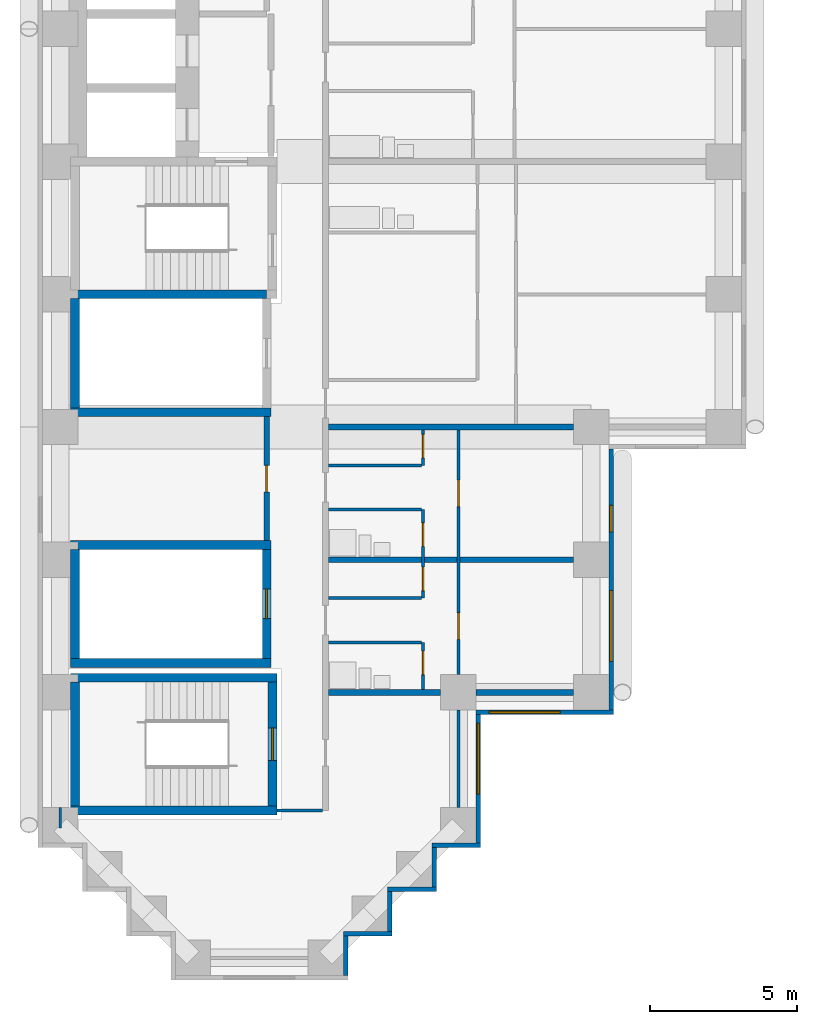
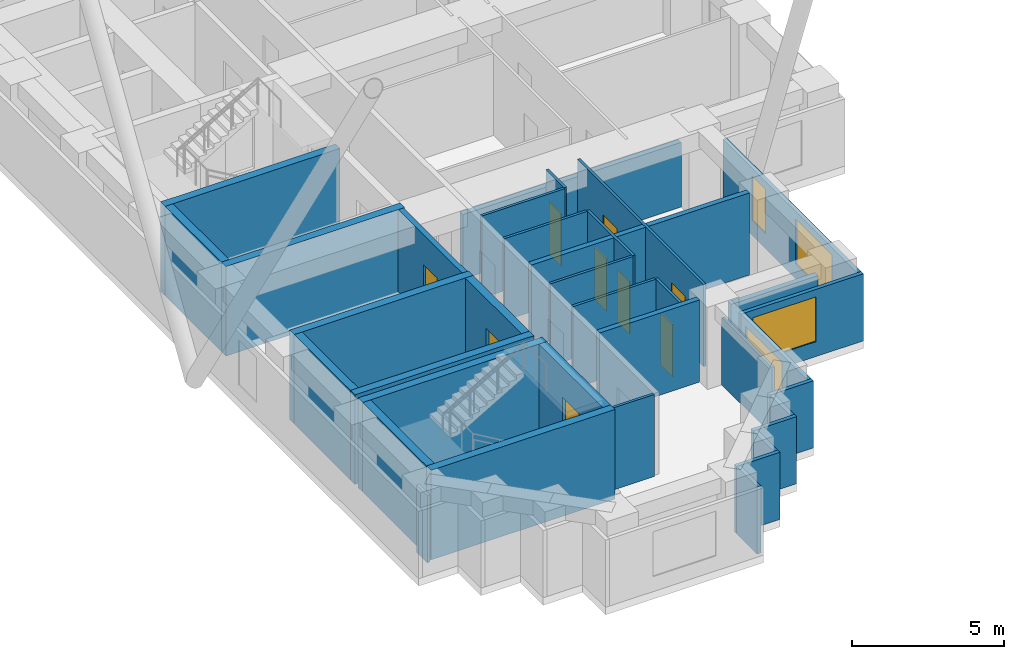
# One storey, part 8 of 20: 36 walls, 9 doors, 4 windows, 13 openings.
"""IFC4 building model written with IfcOpenShell, lengths in metres."""

from ifc_helpers import new_model, si_unit, direction, frame, frame_2d, origin, place, context, subcontext, project, spatial, rectangle, extrude, material, layer, layer_set, type_object, element, fill, save


model = new_model("IFC4")

# Units and contexts
model_context = context("Model", 3, precision=1e-05, world=origin(), true_north=direction((0.0, 1.0)))
body_context = subcontext(model_context, "Body", "Model", "MODEL_VIEW")
ifc_project = project(units=[si_unit("LENGTHUNIT", "METRE"), si_unit("AREAUNIT", "SQUARE_METRE"), si_unit("VOLUMEUNIT", "CUBIC_METRE"), si_unit("PLANEANGLEUNIT", "RADIAN"), si_unit("MASSUNIT", "GRAM", prefix="KILO")], contexts=[model_context])

# Site, building, storey
site_placement = place(None, origin())
site = spatial("IfcSite", under=ifc_project, at=site_placement, CompositionType="ELEMENT")
building_placement = place(site_placement, origin())
building = spatial("IfcBuilding", under=site, at=building_placement, Name="Firuza Court", CompositionType="ELEMENT")
storey_placement = place(building_placement, frame((0.0, 0.0, 29.0)))
storey = spatial("IfcBuildingStorey", under=building, at=storey_placement, Name="L05", CompositionType="ELEMENT", Elevation=29.0)

# Walls
ifc_material_1 = material(Name="Moisture-resistant gypsum board partition")
ifc_layer_1 = layer(ifc_material_1, 0.10009765625)
ifc_layer_set_1 = layer_set([ifc_layer_1], Name="Moisture-resistant gypsum board partition")
wall_type_1 = type_object("IfcWallType", Name="Bathroom partition 100", PredefinedType="PLUMBINGWALL", material=ifc_layer_set_1)
for number, where, z_axis, x_axis, name in (
    (1, (9.10009765625, 10.699951171875, 0.0), (0.0, 0.0, 1.0), (1.0, 0.0, 0.0), "Bathroom partition 100 L05"),
    (2, (9.10009765625, 15.199951171875, 0.0), (0.0, 0.0, 1.0), (1.0, 0.0, 0.0), "Bathroom partition 100 L05"),
):
    element("IfcWall", number, at=place(storey_placement, frame(where, z_axis=z_axis, x_axis=x_axis)), inside=storey, type_object=wall_type_1, Name=name, PredefinedType="PLUMBINGWALL", context=body_context, shape_type="SweptSolid", body=[
        extrude(rectangle(XDim=3.14990234375, YDim=0.10009765625, at=frame_2d((1.574951171875, 0.0))), origin(), (0.0, 0.0, 1.0), 3.300048828125),
    ])
ifc_material_2 = material(Name="Concrete C60/75", Category="concrete")
ifc_layer_2 = layer(ifc_material_2, 0.300048828125)
ifc_layer_set_2 = layer_set([ifc_layer_2], Name="Concrete C60/75")
wall_type_2 = type_object("IfcWallType", Name="Core wall 300 C60/75", PredefinedType="SHEAR", material=ifc_layer_set_2)
for number, where, z_axis, x_axis, name in (
    (3, (0.35009765625, 5.0, -0.300048828125), (0.0, 0.0, 1.0), (1.0, 0.0, 0.0), "Core wall stair L05"),
    (4, (0.35009765625, 9.5, -0.300048828125), (0.0, 0.0, 1.0), (1.0, 0.0, 0.0), "Core wall stair L05"),
):
    element("IfcWall", number, at=place(storey_placement, frame(where, z_axis=z_axis, x_axis=x_axis)), inside=storey, type_object=wall_type_2, Name=name, PredefinedType="SHEAR", context=body_context, shape_type="SweptSolid", body=[
        extrude(rectangle(XDim=7.0, YDim=0.300048828125, at=frame_2d((3.5, 0.0))), origin(), (0.0, 0.0, 1.0), 3.60009765625),
    ])
for number, where, z_axis, x_axis, name in (
    (5, (0.35009765625, 10.0, -0.300048828125), (0.0, 0.0, 1.0), (1.0, 0.0, 0.0), "Core wall riser L05"),
    (6, (0.35009765625, 14.0, -0.300048828125), (0.0, 0.0, 1.0), (1.0, 0.0, 0.0), "Core wall riser L05"),
    (7, (0.35009765625, 18.5, -0.300048828125), (0.0, 0.0, 1.0), (1.0, 0.0, 0.0), "Core wall riser L05"),
):
    element("IfcWall", number, at=place(storey_placement, frame(where, z_axis=z_axis, x_axis=x_axis)), inside=storey, type_object=wall_type_2, Name=name, PredefinedType="SHEAR", context=body_context, shape_type="SweptSolid", body=[
        extrude(rectangle(XDim=6.7998046875, YDim=0.300048828125, at=frame_2d((3.39990234375, 0.0))), origin(), (0.0, 0.0, 1.0), 3.60009765625),
    ])
wall_1_placement = place(storey_placement, frame((0.35009765625, 22.5, -0.300048828125), z_axis=(0.0, 0.0, 1.0), x_axis=(1.0, 0.0, 0.0)))
element("IfcWall", 8, at=wall_1_placement, inside=storey, type_object=wall_type_2, Name="Core wall riser L05", PredefinedType="SHEAR", context=body_context, shape_type="SweptSolid", body=[
    extrude(rectangle(XDim=6.64990234375, YDim=0.300048828125, at=frame_2d((3.324951171875, 0.0))), origin(), (0.0, 0.0, 1.0), 3.60009765625),
])
wall_2_placement = place(storey_placement, frame((0.5, 5.14990234375, -0.300048828125), z_axis=(0.0, 0.0, 1.0), x_axis=(0.0, 1.0, 0.0)))
element("IfcWall", 9, at=wall_2_placement, inside=storey, type_object=wall_type_2, Name="Core wall stair L05", PredefinedType="SHEAR", context=body_context, shape_type="SweptSolid", body=[
    extrude(rectangle(XDim=4.2001953125, YDim=0.300048828125, at=frame_2d((2.10009765625, 0.0))), origin(), (0.0, 0.0, 1.0), 3.60009765625),
])
for number, where, z_axis, x_axis, name in (
    (10, (0.5, 10.14990234375, -0.300048828125), (0.0, 0.0, 1.0), (0.0, 1.0, 0.0), "Core wall riser L05"),
    (11, (0.5, 18.64990234375, -0.300048828125), (0.0, 0.0, 1.0), (0.0, 1.0, 0.0), "Core wall riser L05"),
):
    element("IfcWall", number, at=place(storey_placement, frame(where, z_axis=z_axis, x_axis=x_axis)), inside=storey, type_object=wall_type_2, Name=name, PredefinedType="SHEAR", context=body_context, shape_type="SweptSolid", body=[
        extrude(rectangle(XDim=3.7001953125, YDim=0.300048828125, at=frame_2d((1.85009765625, 0.0))), origin(), (0.0, 0.0, 1.0), 3.60009765625),
    ])

# Wall, opening, door
wall_3_placement = place(storey_placement, frame((7.0, 10.14990234375, -0.300048828125), z_axis=(0.0, 0.0, 1.0), x_axis=(0.0, 1.0, 0.0)))
wall_3 = element("IfcWall", 12, at=wall_3_placement, inside=storey, type_object=wall_type_2, Name="Core wall riser L05", PredefinedType="SHEAR", context=body_context, shape_type="SweptSolid", body=[
    extrude(rectangle(XDim=3.7001953125, YDim=0.300048828125, at=frame_2d((1.85009765625, 0.0))), origin(), (0.0, 0.0, 1.0), 3.60009765625),
])
opening_1_placement = place(wall_3_placement, frame((1.35009765625, 0.0, 0.300048828125)))
opening_1 = element("IfcOpeningElement", 13, at=opening_1_placement, cuts=wall_3, Name="Opening D05012", PredefinedType="OPENING", context=body_context, shape_type="SweptSolid", body=[
    extrude(rectangle(XDim=1.0, YDim=2.10009765625, at=frame_2d((0.5, 1.050048828125))), frame((0.0, 0.162109375, 0.0), z_axis=(0.0, -1.0, 0.0), x_axis=(1.0, 0.0, 0.0)), (0.0, 0.0, 1.0), 0.323974609375),
])
ifc_material_3 = material(Name="Timber door leaf in hardwood frame", Category="wood")
door_type_1 = type_object("IfcDoorType", Name="Riser door 1000", OperationType="SINGLE_SWING_LEFT", PredefinedType="DOOR", material=ifc_material_3)
door_1_placement = place(opening_1_placement, origin())
door_1 = element("IfcDoor", 14, at=door_1_placement, inside=storey, type_object=door_type_1, Name="Riser door R4", OperationType="SINGLE_SWING_LEFT", OverallHeight=2.10009765625, OverallWidth=1.0, PredefinedType="DOOR", context=body_context, shape_type="SweptSolid", body=[
    extrude(rectangle(XDim=1.0, YDim=2.10009765625, at=frame_2d((0.5, 1.050048828125))), frame((0.0, 0.02490234375, 0.0), z_axis=(0.0, -1.0, 0.0), x_axis=(1.0, 0.0, 0.0)), (0.0, 0.0, 1.0), 0.050048828125),
])
fill(opening_1, door_1)

wall_4_placement = place(storey_placement, frame((7.199951171875, 5.14990234375, -0.300048828125), z_axis=(0.0, 0.0, 1.0), x_axis=(0.0, 1.0, 0.0)))
wall_4 = element("IfcWall", 15, at=wall_4_placement, inside=storey, type_object=wall_type_2, Name="Core wall stair L05", PredefinedType="SHEAR", context=body_context, shape_type="SweptSolid", body=[
    extrude(rectangle(XDim=4.2001953125, YDim=0.300048828125, at=frame_2d((2.10009765625, 0.0))), origin(), (0.0, 0.0, 1.0), 3.60009765625),
])
opening_2_placement = place(wall_4_placement, frame((1.550048828125, 0.0, 0.300048828125)))
opening_2 = element("IfcOpeningElement", 16, at=opening_2_placement, cuts=wall_4, Name="Opening D05018", PredefinedType="OPENING", context=body_context, shape_type="SweptSolid", body=[
    extrude(rectangle(XDim=1.10009765625, YDim=2.10009765625, at=frame_2d((0.550048828125, 1.050048828125))), frame((0.0, 0.162109375, 0.0), z_axis=(0.0, -1.0, 0.0), x_axis=(1.0, 0.0, 0.0)), (0.0, 0.0, 1.0), 0.323974609375),
])
ifc_material_4 = material(Name="Timber door leaf in hardwood frame", Category="wood")
door_type_2 = type_object("IfcDoorType", Name="Stair door 1100", OperationType="SINGLE_SWING_LEFT", PredefinedType="DOOR", material=ifc_material_4)
door_2_placement = place(opening_2_placement, origin())
door_2 = element("IfcDoor", 17, at=door_2_placement, inside=storey, type_object=door_type_2, Name="Stair door S5", OperationType="SINGLE_SWING_LEFT", OverallHeight=2.10009765625, OverallWidth=1.10009765625, PredefinedType="DOOR", context=body_context, shape_type="SweptSolid", body=[
    extrude(rectangle(XDim=1.10009765625, YDim=2.10009765625, at=frame_2d((0.550048828125, 1.050048828125))), frame((0.0, 0.02490234375, 0.0), z_axis=(0.0, -1.0, 0.0), x_axis=(1.0, 0.0, 0.0)), (0.0, 0.0, 1.0), 0.050048828125),
])
fill(opening_2, door_2)

ifc_material_5 = material(Name="Blockwork, plastered both sides", Category="masonry")
ifc_layer_3 = layer(ifc_material_5, 0.199951171875)
ifc_layer_set_3 = layer_set([ifc_layer_3], Name="Blockwork, plastered both sides")
wall_type_3 = type_object("IfcWallType", Name="Corridor wall 200", PredefinedType="PARTITIONING", material=ifc_layer_set_3)
wall_5_placement = place(storey_placement, frame((7.0, 14.14990234375, 0.0), z_axis=(0.0, 0.0, 1.0), x_axis=(0.0, 1.0, 0.0)))
wall_5 = element("IfcWall", 18, at=wall_5_placement, inside=storey, type_object=wall_type_3, Name="Corridor wall 200 L05", PredefinedType="PARTITIONING", context=body_context, shape_type="SweptSolid", body=[
    extrude(rectangle(XDim=4.2001953125, YDim=0.199951171875, at=frame_2d((2.10009765625, 0.0))), origin(), (0.0, 0.0, 1.0), 3.300048828125),
])
opening_3_placement = place(wall_5_placement, frame((1.64990234375, 0.0, 0.0)))
opening_3 = element("IfcOpeningElement", 19, at=opening_3_placement, cuts=wall_5, Name="Opening D05030", PredefinedType="OPENING", context=body_context, shape_type="SweptSolid", body=[
    extrude(rectangle(XDim=0.89990234375, YDim=2.10009765625, at=frame_2d((0.449951171875, 1.050048828125))), frame((0.0, 0.11181640625, 0.0), z_axis=(0.0, -1.0, 0.0), x_axis=(1.0, 0.0, 0.0)), (0.0, 0.0, 1.0), 0.223876953125),
])
ifc_material_6 = material(Name="Timber door leaf in hardwood frame", Category="wood")
door_type_3 = type_object("IfcDoorType", Name="Room door 900 EI 30", OperationType="SINGLE_SWING_LEFT", PredefinedType="DOOR", material=ifc_material_6)
door_3_placement = place(opening_3_placement, origin())
door_3 = element("IfcDoor", 20, at=door_3_placement, inside=storey, type_object=door_type_3, Name="Meeting room door", OperationType="SINGLE_SWING_LEFT", OverallHeight=2.10009765625, OverallWidth=0.89990234375, PredefinedType="DOOR", context=body_context, shape_type="SweptSolid", body=[
    extrude(rectangle(XDim=0.89990234375, YDim=2.10009765625, at=frame_2d((0.449951171875, 1.050048828125))), frame((0.0, 0.02490234375, 0.0), z_axis=(0.0, -1.0, 0.0), x_axis=(1.0, 0.0, 0.0)), (0.0, 0.0, 1.0), 0.050048828125),
])
fill(opening_3, door_3)

# Walls
ifc_material_7 = material(Name="Timber stud partition, plasterboard both sides", Category="wood")
ifc_layer_4 = layer(ifc_material_7, 0.10009765625)
ifc_layer_set_4 = layer_set([ifc_layer_4], Name="Timber stud partition, plasterboard both sides")
wall_type_4 = type_object("IfcWallType", Name="Partition wall 100", PredefinedType="PARTITIONING", material=ifc_layer_set_4)
wall_6_placement = place(storey_placement, frame((0.0, 4.39990234375, 0.0), z_axis=(0.0, 0.0, 1.0), x_axis=(0.0, 1.0, 0.0)))
element("IfcWall", 21, at=wall_6_placement, inside=storey, type_object=wall_type_4, Name="Partition wall 100 L05", PredefinedType="PARTITIONING", context=body_context, shape_type="SweptSolid", body=[
    extrude(rectangle(XDim=0.7001953125, YDim=0.10009765625, at=frame_2d((0.35009765625, 0.0))), origin(), (0.0, 0.0, 1.0), 2.699951171875),
])
wall_7_placement = place(storey_placement, frame((7.34912109375, 5.0, 0.0), z_axis=(0.0, 0.0, 1.0), x_axis=(1.0, 0.0, 0.0)))
element("IfcWall", 22, at=wall_7_placement, inside=storey, type_object=wall_type_4, Name="Partition wall 100 L05", PredefinedType="PARTITIONING", context=body_context, shape_type="SweptSolid", body=[
    extrude(rectangle(XDim=1.55078125, YDim=0.10009765625, at=frame_2d((0.775390625, 0.0))), origin(), (0.0, 0.0, 1.0), 3.300048828125),
])
wall_8_placement = place(storey_placement, frame((13.5, 5.10009765625, 0.0), z_axis=(0.0, 0.0, 1.0), x_axis=(0.0, 1.0, 0.0)))
element("IfcWall", 23, at=wall_8_placement, inside=storey, type_object=wall_type_4, Name="Partition wall 100 L05", PredefinedType="PARTITIONING", context=body_context, shape_type="SweptSolid", body=[
    extrude(rectangle(XDim=3.2998046875, YDim=0.10009765625, at=frame_2d((1.64990234375, 0.0))), origin(), (0.0, 0.0, 1.0), 2.699951171875),
])

# Wall, opening, door
wall_9_placement = place(storey_placement, frame((12.300048828125, 9.10009765625, 0.0), z_axis=(0.0, 0.0, 1.0), x_axis=(0.0, 1.0, 0.0)))
wall_9 = element("IfcWall", 24, at=wall_9_placement, inside=storey, type_object=wall_type_4, Name="Partition wall 100 L05", PredefinedType="PARTITIONING", context=body_context, shape_type="SweptSolid", body=[
    extrude(rectangle(XDim=1.599853515625, YDim=0.10009765625, at=frame_2d((0.7998046875, 0.0))), origin(), (0.0, 0.0, 1.0), 3.300048828125),
])
opening_4_placement = place(wall_9_placement, frame((0.5, 0.0, 0.0)))
opening_4 = element("IfcOpeningElement", 25, at=opening_4_placement, cuts=wall_9, Name="Opening D05025", PredefinedType="OPENING", context=body_context, shape_type="SweptSolid", body=[
    extrude(rectangle(XDim=0.800048828125, YDim=2.10009765625, at=frame_2d((0.39990234375, 1.050048828125))), frame((0.0, 0.06201171875, 0.0), z_axis=(0.0, -1.0, 0.0), x_axis=(1.0, 0.0, 0.0)), (0.0, 0.0, 1.0), 0.1240234375),
])
ifc_material_8 = material(Name="Timber door leaf in hardwood frame", Category="wood")
door_type_4 = type_object("IfcDoorType", Name="Bathroom door 800", OperationType="SINGLE_SWING_LEFT", PredefinedType="DOOR", material=ifc_material_8)
door_4_placement = place(opening_4_placement, origin())
door_4 = element("IfcDoor", 26, at=door_4_placement, inside=storey, type_object=door_type_4, Name="Bathroom door", OperationType="SINGLE_SWING_RIGHT", OverallHeight=2.10009765625, OverallWidth=0.800048828125, PredefinedType="DOOR", context=body_context, shape_type="SweptSolid", body=[
    extrude(rectangle(XDim=0.800048828125, YDim=2.10009765625, at=frame_2d((0.39990234375, 1.050048828125))), frame((0.0, 0.02490234375, 0.0), z_axis=(0.0, -1.0, 0.0), x_axis=(1.0, 0.0, 0.0)), (0.0, 0.0, 1.0), 0.050048828125),
])
fill(opening_4, door_4)

# Wall, openings, doors
wall_10_placement = place(storey_placement, frame((13.5, 9.60009765625, 0.0), z_axis=(0.0, 0.0, 1.0), x_axis=(0.0, 1.0, 0.0)))
wall_10 = element("IfcWall", 27, at=wall_10_placement, inside=storey, type_object=wall_type_4, Name="Partition wall 100 L05", PredefinedType="PARTITIONING", context=body_context, shape_type="SweptSolid", body=[
    extrude(rectangle(XDim=8.2998046875, YDim=0.10009765625, at=frame_2d((4.14990234375, 0.0))), origin(), (0.0, 0.0, 1.0), 3.300048828125),
])
opening_5_placement = place(wall_10_placement, frame((5.699951171875, 0.0, 0.0)))
opening_5 = element("IfcOpeningElement", 28, at=opening_5_placement, cuts=wall_10, Name="Opening D05026", PredefinedType="OPENING", context=body_context, shape_type="SweptSolid", body=[
    extrude(rectangle(XDim=0.89990234375, YDim=2.10009765625, at=frame_2d((0.449951171875, 1.050048828125))), frame((0.0, 0.06201171875, 0.0), z_axis=(0.0, -1.0, 0.0), x_axis=(1.0, 0.0, 0.0)), (0.0, 0.0, 1.0), 0.1240234375),
])
opening_6_placement = place(wall_10_placement, frame((1.199951171875, 0.0, 0.0)))
opening_6 = element("IfcOpeningElement", 29, at=opening_6_placement, cuts=wall_10, Name="Opening D05027", PredefinedType="OPENING", context=body_context, shape_type="SweptSolid", body=[
    extrude(rectangle(XDim=0.89990234375, YDim=2.10009765625, at=frame_2d((0.449951171875, 1.050048828125))), frame((0.0, 0.06201171875, 0.0), z_axis=(0.0, -1.0, 0.0), x_axis=(1.0, 0.0, 0.0)), (0.0, 0.0, 1.0), 0.1240234375),
])
ifc_material_9 = material(Name="Timber door leaf in hardwood frame", Category="wood")
door_type_5 = type_object("IfcDoorType", Name="Room door 900", OperationType="SINGLE_SWING_LEFT", PredefinedType="DOOR", material=ifc_material_9)
door_5_placement = place(opening_5_placement, frame((0.89990234375, 0.0, 0.0), z_axis=(0.0, 0.0, 1.0), x_axis=(-1.0, 0.0, 0.0)))
door_5 = element("IfcDoor", 30, at=door_5_placement, inside=storey, type_object=door_type_5, Name="Studio room door", OperationType="SINGLE_SWING_RIGHT", OverallHeight=2.10009765625, OverallWidth=0.89990234375, PredefinedType="DOOR", context=body_context, shape_type="SweptSolid", body=[
    extrude(rectangle(XDim=0.89990234375, YDim=2.10009765625, at=frame_2d((0.449951171875, 1.050048828125))), frame((0.0, 0.02490234375, 0.0), z_axis=(0.0, -1.0, 0.0), x_axis=(1.0, 0.0, 0.0)), (0.0, 0.0, 1.0), 0.050048828125),
])
fill(opening_5, door_5)
door_6_placement = place(opening_6_placement, frame((0.89990234375, 0.0, 0.0), z_axis=(0.0, 0.0, 1.0), x_axis=(-1.0, 0.0, 0.0)))
door_6 = element("IfcDoor", 31, at=door_6_placement, inside=storey, type_object=door_type_5, Name="Studio room door", OperationType="SINGLE_SWING_RIGHT", OverallHeight=2.10009765625, OverallWidth=0.89990234375, PredefinedType="DOOR", context=body_context, shape_type="SweptSolid", body=[
    extrude(rectangle(XDim=0.89990234375, YDim=2.10009765625, at=frame_2d((0.449951171875, 1.050048828125))), frame((0.0, 0.02490234375, 0.0), z_axis=(0.0, -1.0, 0.0), x_axis=(1.0, 0.0, 0.0)), (0.0, 0.0, 1.0), 0.050048828125),
])
fill(opening_6, door_6)

# Wall
wall_11_placement = place(storey_placement, frame((9.10009765625, 12.199951171875, 0.0), z_axis=(0.0, 0.0, 1.0), x_axis=(1.0, 0.0, 0.0)))
element("IfcWall", 32, at=wall_11_placement, inside=storey, type_object=wall_type_4, Name="Partition wall 100 L05", PredefinedType="PARTITIONING", context=body_context, shape_type="SweptSolid", body=[
    extrude(rectangle(XDim=3.14990234375, YDim=0.10009765625, at=frame_2d((1.574951171875, 0.0))), origin(), (0.0, 0.0, 1.0), 3.300048828125),
])

# Wall, openings, doors
wall_12_placement = place(storey_placement, frame((12.300048828125, 12.199951171875, 0.0), z_axis=(0.0, 0.0, 1.0), x_axis=(0.0, 1.0, 0.0)))
wall_12 = element("IfcWall", 33, at=wall_12_placement, inside=storey, type_object=wall_type_4, Name="Partition wall 100 L05", PredefinedType="PARTITIONING", context=body_context, shape_type="SweptSolid", body=[
    extrude(rectangle(XDim=3.0, YDim=0.10009765625, at=frame_2d((1.5, 0.0))), origin(), (0.0, 0.0, 1.0), 3.300048828125),
])
opening_7_placement = place(wall_12_placement, frame((1.75, 0.0, 0.0)))
opening_7 = element("IfcOpeningElement", 34, at=opening_7_placement, cuts=wall_12, Name="Opening D05028", PredefinedType="OPENING", context=body_context, shape_type="SweptSolid", body=[
    extrude(rectangle(XDim=0.800048828125, YDim=2.10009765625, at=frame_2d((0.39990234375, 1.050048828125))), frame((0.0, 0.06201171875, 0.0), z_axis=(0.0, -1.0, 0.0), x_axis=(1.0, 0.0, 0.0)), (0.0, 0.0, 1.0), 0.1240234375),
])
opening_8_placement = place(wall_12_placement, frame((0.25, 0.0, 0.0)))
opening_8 = element("IfcOpeningElement", 35, at=opening_8_placement, cuts=wall_12, Name="Opening D05029", PredefinedType="OPENING", context=body_context, shape_type="SweptSolid", body=[
    extrude(rectangle(XDim=0.800048828125, YDim=2.10009765625, at=frame_2d((0.39990234375, 1.050048828125))), frame((0.0, 0.06201171875, 0.0), z_axis=(0.0, -1.0, 0.0), x_axis=(1.0, 0.0, 0.0)), (0.0, 0.0, 1.0), 0.1240234375),
])
door_7_placement = place(opening_7_placement, origin())
door_7 = element("IfcDoor", 36, at=door_7_placement, inside=storey, type_object=door_type_4, Name="Bathroom door", OperationType="SINGLE_SWING_LEFT", OverallHeight=2.10009765625, OverallWidth=0.800048828125, PredefinedType="DOOR", context=body_context, shape_type="SweptSolid", body=[
    extrude(rectangle(XDim=0.800048828125, YDim=2.10009765625, at=frame_2d((0.39990234375, 1.050048828125))), frame((0.0, 0.02490234375, 0.0), z_axis=(0.0, -1.0, 0.0), x_axis=(1.0, 0.0, 0.0)), (0.0, 0.0, 1.0), 0.050048828125),
])
fill(opening_7, door_7)
ifc_material_10 = material(Name="Timber door leaf in hardwood frame", Category="wood")
door_type_6 = type_object("IfcDoorType", Name="Room door 800", OperationType="SINGLE_SWING_LEFT", PredefinedType="DOOR", material=ifc_material_10)
door_8_placement = place(opening_8_placement, origin())
door_8 = element("IfcDoor", 37, at=door_8_placement, inside=storey, type_object=door_type_6, Name="Kitchen door", OperationType="SINGLE_SWING_LEFT", OverallHeight=2.10009765625, OverallWidth=0.800048828125, PredefinedType="DOOR", context=body_context, shape_type="SweptSolid", body=[
    extrude(rectangle(XDim=0.800048828125, YDim=2.10009765625, at=frame_2d((0.39990234375, 1.050048828125))), frame((0.0, 0.02490234375, 0.0), z_axis=(0.0, -1.0, 0.0), x_axis=(1.0, 0.0, 0.0)), (0.0, 0.0, 1.0), 0.050048828125),
])
fill(opening_8, door_8)

# Wall
wall_13_placement = place(storey_placement, frame((9.10009765625, 16.699951171875, 0.0), z_axis=(0.0, 0.0, 1.0), x_axis=(1.0, 0.0, 0.0)))
element("IfcWall", 38, at=wall_13_placement, inside=storey, type_object=wall_type_4, Name="Partition wall 100 L05", PredefinedType="PARTITIONING", context=body_context, shape_type="SweptSolid", body=[
    extrude(rectangle(XDim=3.14990234375, YDim=0.10009765625, at=frame_2d((1.574951171875, 0.0))), origin(), (0.0, 0.0, 1.0), 3.300048828125),
])

# Wall, opening, door
wall_14_placement = place(storey_placement, frame((12.300048828125, 16.699951171875, 0.0), z_axis=(0.0, 0.0, 1.0), x_axis=(0.0, 1.0, 0.0)))
wall_14 = element("IfcWall", 39, at=wall_14_placement, inside=storey, type_object=wall_type_4, Name="Partition wall 100 L05", PredefinedType="PARTITIONING", context=body_context, shape_type="SweptSolid", body=[
    extrude(rectangle(XDim=1.199951171875, YDim=0.10009765625, at=frame_2d((0.60009765625, 0.0))), origin(), (0.0, 0.0, 1.0), 3.300048828125),
])
opening_9_placement = place(wall_14_placement, frame((0.25, 0.0, 0.0)))
opening_9 = element("IfcOpeningElement", 40, at=opening_9_placement, cuts=wall_14, Name="Opening D05031", PredefinedType="OPENING", context=body_context, shape_type="SweptSolid", body=[
    extrude(rectangle(XDim=0.800048828125, YDim=2.10009765625, at=frame_2d((0.39990234375, 1.050048828125))), frame((0.0, 0.06201171875, 0.0), z_axis=(0.0, -1.0, 0.0), x_axis=(1.0, 0.0, 0.0)), (0.0, 0.0, 1.0), 0.1240234375),
])
door_9_placement = place(opening_9_placement, origin())
door_9 = element("IfcDoor", 41, at=door_9_placement, inside=storey, type_object=door_type_6, Name="Kitchen door", OperationType="SINGLE_SWING_LEFT", OverallHeight=2.10009765625, OverallWidth=0.800048828125, PredefinedType="DOOR", context=body_context, shape_type="SweptSolid", body=[
    extrude(rectangle(XDim=0.800048828125, YDim=2.10009765625, at=frame_2d((0.39990234375, 1.050048828125))), frame((0.0, 0.02490234375, 0.0), z_axis=(0.0, -1.0, 0.0), x_axis=(1.0, 0.0, 0.0)), (0.0, 0.0, 1.0), 0.050048828125),
])
fill(opening_9, door_9)

# Walls
ifc_layer_5 = layer(ifc_material_5, 0.199951171875)
ifc_layer_set_5 = layer_set([ifc_layer_5], Name="Blockwork, plastered both sides")
wall_type_5 = type_object("IfcWallType", Name="Party wall 200", PredefinedType="PARTITIONING", material=ifc_layer_set_5)
wall_15_placement = place(storey_placement, frame((9.10009765625, 9.0, 0.0), z_axis=(0.0, 0.0, 1.0), x_axis=(1.0, 0.0, 0.0)))
element("IfcWall", 42, at=wall_15_placement, inside=storey, type_object=wall_type_5, Name="Party wall 200 L05", PredefinedType="PARTITIONING", context=body_context, shape_type="SweptSolid", body=[
    extrude(rectangle(XDim=3.7998046875, YDim=0.199951171875, at=frame_2d((1.89990234375, 0.0))), origin(), (0.0, 0.0, 1.0), 3.300048828125),
])
wall_16_placement = place(storey_placement, frame((14.10009765625, 9.0, 0.0), z_axis=(0.0, 0.0, 1.0), x_axis=(1.0, 0.0, 0.0)))
element("IfcWall", 43, at=wall_16_placement, inside=storey, type_object=wall_type_5, Name="Party wall 200 L05", PredefinedType="PARTITIONING", context=body_context, shape_type="SweptSolid", body=[
    extrude(rectangle(XDim=3.2998046875, YDim=0.199951171875, at=frame_2d((1.64990234375, 0.0))), origin(), (0.0, 0.0, 1.0), 2.699951171875),
])
wall_17_placement = place(storey_placement, frame((9.10009765625, 13.5, 0.0), z_axis=(0.0, 0.0, 1.0), x_axis=(1.0, 0.0, 0.0)))
element("IfcWall", 44, at=wall_17_placement, inside=storey, type_object=wall_type_5, Name="Party wall 200 L05", PredefinedType="PARTITIONING", context=body_context, shape_type="SweptSolid", body=[
    extrude(rectangle(XDim=8.2998046875, YDim=0.199951171875, at=frame_2d((4.14990234375, 0.0))), origin(), (0.0, 0.0, 1.0), 3.300048828125),
])
wall_18_placement = place(storey_placement, frame((9.10009765625, 18.0, 0.0), z_axis=(0.0, 0.0, 1.0), x_axis=(1.0, 0.0, 0.0)))
element("IfcWall", 45, at=wall_18_placement, inside=storey, type_object=wall_type_5, Name="Party wall 200 L05", PredefinedType="PARTITIONING", context=body_context, shape_type="SweptSolid", body=[
    extrude(rectangle(XDim=8.2998046875, YDim=0.199951171875, at=frame_2d((4.14990234375, 0.0))), origin(), (0.0, 0.0, 1.0), 2.60009765625),
])
ifc_material_11 = material(Name="Ceramic tile", Category="ceramic")
ifc_layer_6 = layer(ifc_material_11, 0.02001953125)
ifc_material_12 = material(Name="Mineral wool insulation", Category="insulation")
ifc_layer_7 = layer(ifc_material_12, 0.050048828125)
ifc_material_13 = material(Name="Concrete C40/50 precast", Category="concrete")
ifc_layer_8 = layer(ifc_material_13, 0.080078125)
ifc_layer_set_6 = layer_set([ifc_layer_6, ifc_layer_7, ifc_layer_8], Name="Concrete C40/50 precast")
wall_type_6 = type_object("IfcWallType", Name="Precast cladding wall with turquoise TILE PANEL face 150", PredefinedType="STANDARD", material=ifc_layer_set_6)
wall_19_placement = place(storey_placement, frame((9.675048828125, -0.60009765625, 0.0), z_axis=(0.0, 0.0, 1.0), x_axis=(0.0, 1.0, 0.0)))
element("IfcWall", 46, at=wall_19_placement, inside=storey, type_object=wall_type_6, Name="Facade wall L05 E", PredefinedType="STANDARD", context=body_context, shape_type="SweptSolid", body=[
    extrude(rectangle(XDim=1.35009765625, YDim=0.14990234375, at=frame_2d((0.675048828125, 0.0))), origin(), (0.0, 0.0, 1.0), 2.699951171875),
])
wall_20_placement = place(storey_placement, frame((9.60009765625, 0.824951171875, 0.0), z_axis=(0.0, 0.0, 1.0), x_axis=(1.0, 0.0, 0.0)))
element("IfcWall", 47, at=wall_20_placement, inside=storey, type_object=wall_type_6, Name="Facade wall L05 S", PredefinedType="STANDARD", context=body_context, shape_type="SweptSolid", body=[
    extrude(rectangle(XDim=1.64990234375, YDim=0.14990234375, at=frame_2d((0.824951171875, 0.0))), origin(), (0.0, 0.0, 1.0), 2.699951171875),
])
wall_21_placement = place(storey_placement, frame((11.175048828125, 0.89990234375, 0.0), z_axis=(0.0, 0.0, 1.0), x_axis=(0.0, 1.0, 0.0)))
element("IfcWall", 48, at=wall_21_placement, inside=storey, type_object=wall_type_6, Name="Facade wall L05 E", PredefinedType="STANDARD", context=body_context, shape_type="SweptSolid", body=[
    extrude(rectangle(XDim=1.35009765625, YDim=0.14990234375, at=frame_2d((0.675048828125, 0.0))), origin(), (0.0, 0.0, 1.0), 2.699951171875),
])
wall_22_placement = place(storey_placement, frame((11.10009765625, 2.324951171875, 0.0), z_axis=(0.0, 0.0, 1.0), x_axis=(1.0, 0.0, 0.0)))
element("IfcWall", 49, at=wall_22_placement, inside=storey, type_object=wall_type_6, Name="Facade wall L05 S", PredefinedType="STANDARD", context=body_context, shape_type="SweptSolid", body=[
    extrude(rectangle(XDim=1.64990234375, YDim=0.14990234375, at=frame_2d((0.824951171875, 0.0))), origin(), (0.0, 0.0, 1.0), 2.699951171875),
])
wall_23_placement = place(storey_placement, frame((12.675048828125, 2.39990234375, 0.0), z_axis=(0.0, 0.0, 1.0), x_axis=(0.0, 1.0, 0.0)))
element("IfcWall", 50, at=wall_23_placement, inside=storey, type_object=wall_type_6, Name="Facade wall L05 E", PredefinedType="STANDARD", context=body_context, shape_type="SweptSolid", body=[
    extrude(rectangle(XDim=1.35009765625, YDim=0.14990234375, at=frame_2d((0.675048828125, 0.0))), origin(), (0.0, 0.0, 1.0), 2.699951171875),
])
wall_24_placement = place(storey_placement, frame((12.60009765625, 3.824951171875, 0.0), z_axis=(0.0, 0.0, 1.0), x_axis=(1.0, 0.0, 0.0)))
element("IfcWall", 51, at=wall_24_placement, inside=storey, type_object=wall_type_6, Name="Facade wall L05 S", PredefinedType="STANDARD", context=body_context, shape_type="SweptSolid", body=[
    extrude(rectangle(XDim=1.64990234375, YDim=0.14990234375, at=frame_2d((0.824951171875, 0.0))), origin(), (0.0, 0.0, 1.0), 2.699951171875),
])

# Wall, opening, window
wall_25_placement = place(storey_placement, frame((14.175048828125, 3.89990234375, 0.0), z_axis=(0.0, 0.0, 1.0), x_axis=(0.0, 1.0, 0.0)))
wall_25 = element("IfcWall", 52, at=wall_25_placement, inside=storey, type_object=wall_type_6, Name="Facade wall L05 E", PredefinedType="STANDARD", context=body_context, shape_type="SweptSolid", body=[
    extrude(rectangle(XDim=4.35009765625, YDim=0.14990234375, at=frame_2d((2.175048828125, 0.0))), origin(), (0.0, 0.0, 1.0), 2.699951171875),
])
opening_10_placement = place(wall_25_placement, frame((1.64990234375, 0.0, 0.60009765625)))
opening_10 = element("IfcOpeningElement", 53, at=opening_10_placement, cuts=wall_25, Name="Opening W1", PredefinedType="OPENING", context=body_context, shape_type="SweptSolid", body=[
    extrude(rectangle(XDim=2.39990234375, YDim=1.800048828125, at=frame_2d((1.199951171875, 0.89990234375))), frame((0.0, 0.0869140625, 0.0), z_axis=(0.0, -1.0, 0.0), x_axis=(1.0, 0.0, 0.0)), (0.0, 0.0, 1.0), 0.173828125),
])
ifc_material_14 = material(Name="Aluminium frame, triple clear glazing", Category="aluminium")
window_type_1 = type_object("IfcWindowType", Name="Window W1 2400 x 1800", PartitioningType="SINGLE_PANEL", PredefinedType="WINDOW", material=ifc_material_14)
window_1_placement = place(opening_10_placement, origin())
window_1 = element("IfcWindow", 54, at=window_1_placement, inside=storey, type_object=window_type_1, Name="Window L05", OverallHeight=1.800048828125, OverallWidth=2.39990234375, PartitioningType="SINGLE_PANEL", PredefinedType="WINDOW", context=body_context, shape_type="SweptSolid", body=[
    extrude(rectangle(XDim=2.39990234375, YDim=1.800048828125, at=frame_2d((1.199951171875, 0.89990234375))), frame((0.0, 0.030029296875, 0.0), z_axis=(0.0, -1.0, 0.0), x_axis=(1.0, 0.0, 0.0)), (0.0, 0.0, 1.0), 0.06005859375),
])
fill(opening_10, window_1)

wall_26_placement = place(storey_placement, frame((14.10009765625, 8.324951171875, 0.0), z_axis=(0.0, 0.0, 1.0), x_axis=(1.0, 0.0, 0.0)))
wall_26 = element("IfcWall", 55, at=wall_26_placement, inside=storey, type_object=wall_type_6, Name="Facade wall L05 S", PredefinedType="STANDARD", context=body_context, shape_type="SweptSolid", body=[
    extrude(rectangle(XDim=4.64990234375, YDim=0.14990234375, at=frame_2d((2.324951171875, 0.0))), origin(), (0.0, 0.0, 1.0), 2.699951171875),
])
opening_11_placement = place(wall_26_placement, frame((0.449951171875, 0.0, 0.60009765625)))
opening_11 = element("IfcOpeningElement", 56, at=opening_11_placement, cuts=wall_26, Name="Opening W1", PredefinedType="OPENING", context=body_context, shape_type="SweptSolid", body=[
    extrude(rectangle(XDim=2.39990234375, YDim=1.800048828125, at=frame_2d((1.199951171875, 0.89990234375))), frame((0.0, 0.0869140625, 0.0), z_axis=(0.0, -1.0, 0.0), x_axis=(1.0, 0.0, 0.0)), (0.0, 0.0, 1.0), 0.173828125),
])
window_2_placement = place(opening_11_placement, origin())
window_2 = element("IfcWindow", 57, at=window_2_placement, inside=storey, type_object=window_type_1, Name="Window L05", OverallHeight=1.800048828125, OverallWidth=2.39990234375, PartitioningType="SINGLE_PANEL", PredefinedType="WINDOW", context=body_context, shape_type="SweptSolid", body=[
    extrude(rectangle(XDim=2.39990234375, YDim=1.800048828125, at=frame_2d((1.199951171875, 0.89990234375))), frame((0.0, 0.030029296875, 0.0), z_axis=(0.0, -1.0, 0.0), x_axis=(1.0, 0.0, 0.0)), (0.0, 0.0, 1.0), 0.06005859375),
])
fill(opening_11, window_2)

# Wall, openings, windows
wall_27_placement = place(storey_placement, frame((18.675048828125, 8.39990234375, 0.0), z_axis=(0.0, 0.0, 1.0), x_axis=(0.0, 1.0, 0.0)))
wall_27 = element("IfcWall", 58, at=wall_27_placement, inside=storey, type_object=wall_type_6, Name="Facade wall L05 E", PredefinedType="STANDARD", context=body_context, shape_type="SweptSolid", body=[
    extrude(rectangle(XDim=8.85009765625, YDim=0.14990234375, at=frame_2d((4.425048828125, 0.0))), origin(), (0.0, 0.0, 1.0), 2.699951171875),
])
opening_12_placement = place(wall_27_placement, frame((1.64990234375, 0.0, 0.60009765625)))
opening_12 = element("IfcOpeningElement", 59, at=opening_12_placement, cuts=wall_27, Name="Opening W1", PredefinedType="OPENING", context=body_context, shape_type="SweptSolid", body=[
    extrude(rectangle(XDim=2.39990234375, YDim=1.800048828125, at=frame_2d((1.199951171875, 0.89990234375))), frame((0.0, 0.0869140625, 0.0), z_axis=(0.0, -1.0, 0.0), x_axis=(1.0, 0.0, 0.0)), (0.0, 0.0, 1.0), 0.173828125),
])
opening_13_placement = place(wall_27_placement, frame((6.040283203125, 0.0, 0.60009765625)))
opening_13 = element("IfcOpeningElement", 60, at=opening_13_placement, cuts=wall_27, Name="Opening W3", PredefinedType="OPENING", context=body_context, shape_type="SweptSolid", body=[
    extrude(rectangle(XDim=0.89990234375, YDim=1.800048828125, at=frame_2d((0.449951171875, 0.89990234375))), frame((0.0, 0.0869140625, 0.0), z_axis=(0.0, -1.0, 0.0), x_axis=(1.0, 0.0, 0.0)), (0.0, 0.0, 1.0), 0.173828125),
])
window_3_placement = place(opening_12_placement, origin())
window_3 = element("IfcWindow", 61, at=window_3_placement, inside=storey, type_object=window_type_1, Name="Window L05", OverallHeight=1.800048828125, OverallWidth=2.39990234375, PartitioningType="SINGLE_PANEL", PredefinedType="WINDOW", context=body_context, shape_type="SweptSolid", body=[
    extrude(rectangle(XDim=2.39990234375, YDim=1.800048828125, at=frame_2d((1.199951171875, 0.89990234375))), frame((0.0, 0.030029296875, 0.0), z_axis=(0.0, -1.0, 0.0), x_axis=(1.0, 0.0, 0.0)), (0.0, 0.0, 1.0), 0.06005859375),
])
fill(opening_12, window_3)
ifc_material_15 = material(Name="Aluminium frame, triple clear glazing", Category="aluminium")
window_type_2 = type_object("IfcWindowType", Name="Window W3 900 x 1800", PartitioningType="SINGLE_PANEL", PredefinedType="WINDOW", material=ifc_material_15)
window_4_placement = place(opening_13_placement, origin())
window_4 = element("IfcWindow", 62, at=window_4_placement, inside=storey, type_object=window_type_2, Name="Window L05", OverallHeight=1.800048828125, OverallWidth=0.89990234375, PartitioningType="SINGLE_PANEL", PredefinedType="WINDOW", context=body_context, shape_type="SweptSolid", body=[
    extrude(rectangle(XDim=0.89990234375, YDim=1.800048828125, at=frame_2d((0.449951171875, 0.89990234375))), frame((0.0, 0.030029296875, 0.0), z_axis=(0.0, -1.0, 0.0), x_axis=(1.0, 0.0, 0.0)), (0.0, 0.0, 1.0), 0.06005859375),
])
fill(opening_13, window_4)

save(model, "model.ifc")
